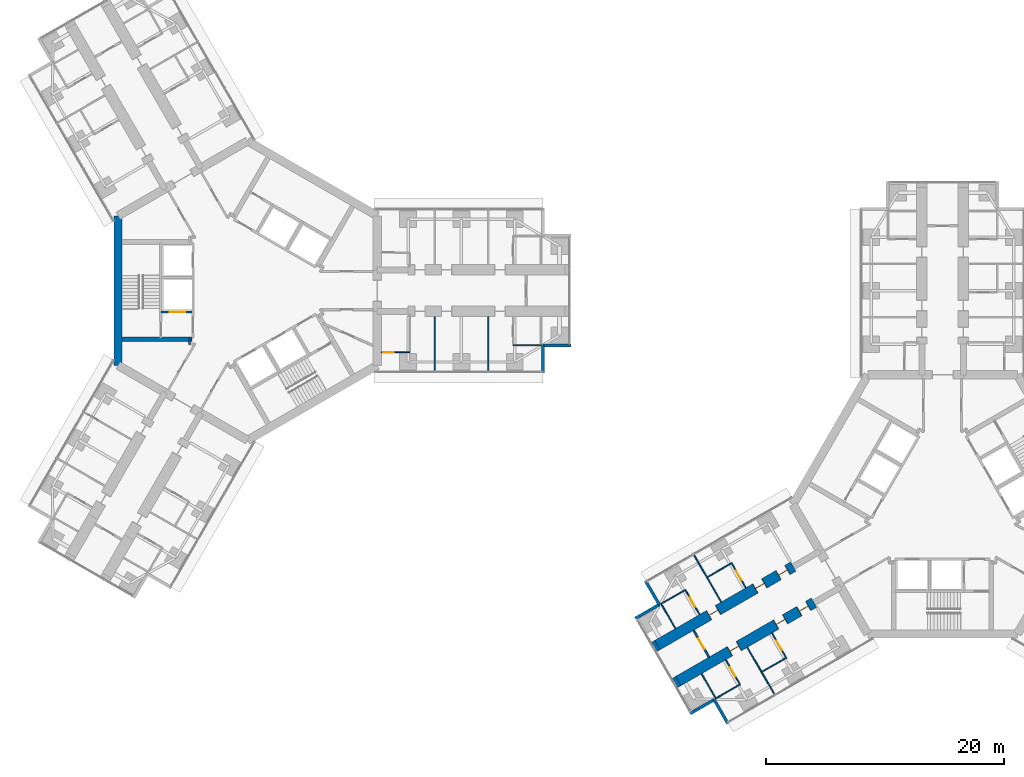
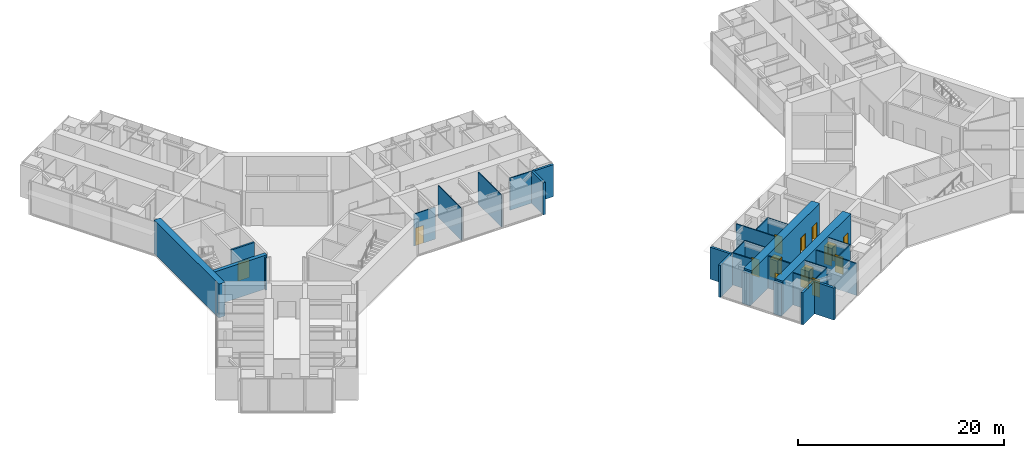
# One storey, part 17 of 25: 31 walls, 13 doors, 13 openings.
"""IFC4 building model written with IfcOpenShell, lengths in metres."""

from ifc_helpers import new_model, si_unit, direction, frame, frame_2d, origin, place, context, subcontext, project, spatial, rectangle, extrude, material, layer, layer_set, type_object, element, fill, save


model = new_model("IFC4")

# Units and contexts
model_context = context("Model", 3, precision=1e-05, world=origin(), true_north=direction((0.0, 1.0)))
body_context = subcontext(model_context, "Body", "Model", "MODEL_VIEW")
ifc_project = project(units=[si_unit("LENGTHUNIT", "METRE"), si_unit("AREAUNIT", "SQUARE_METRE"), si_unit("VOLUMEUNIT", "CUBIC_METRE"), si_unit("PLANEANGLEUNIT", "RADIAN"), si_unit("MASSUNIT", "GRAM", prefix="KILO")], contexts=[model_context])

# Site, building, storey
site_placement = place(None, origin())
site = spatial("IfcSite", under=ifc_project, at=site_placement, CompositionType="ELEMENT")
building_placement = place(site_placement, origin())
building = spatial("IfcBuilding", under=site, at=building_placement, Name="Upepo Twin Towers", CompositionType="ELEMENT")
storey_placement = place(building_placement, frame((0.0, 0.0, 76.5)))
storey = spatial("IfcBuildingStorey", under=building, at=storey_placement, Name="L18", CompositionType="ELEMENT", Elevation=76.5)

# Walls
ifc_material_1 = material(Name="Dense concrete blockwork", Category="masonry")
ifc_layer_1 = layer(ifc_material_1, 0.89990234375)
ifc_layer_set_1 = layer_set([ifc_layer_1], Name="Buttress closer 900, blockwork with fire-stopping to the curtain wall")
wall_type_1 = type_object("IfcWallType", Name="Buttress closer 900, blockwork with fire-stopping to the curtain wall", PredefinedType="PARTITIONING", material=ifc_layer_set_1)
for number, where, z_axis, x_axis, name in (
    (1, (36.252197265625, -32.865478515625, 0.0), (0.0, 0.0, 1.0), (-0.866054481515, -0.499949632511, 0.0), "T2 L18 wing B buttress closer L"),
    (2, (34.502197265625, -29.83447265625, 0.0), (0.0, 0.0, 1.0), (-0.866054481515, -0.499949632511, 0.0), "T2 L18 wing B buttress closer R"),
):
    element("IfcWall", number, at=place(storey_placement, frame(where, z_axis=z_axis, x_axis=x_axis)), inside=storey, type_object=wall_type_1, Name=name, PredefinedType="PARTITIONING", context=body_context, shape_type="SweptSolid", body=[
        extrude(rectangle(XDim=0.31005859375, YDim=0.89990234375, at=frame_2d((0.155029296875, 0.0))), origin(), (0.0, 0.0, 1.0), 3.800048828125),
    ])

# Wall, openings, doors
ifc_material_2 = material(Name="Concrete C60/75", Category="concrete")
ifc_layer_2 = layer(ifc_material_2, 0.89990234375)
ifc_layer_set_2 = layer_set([ifc_layer_2], Name="Concrete C60/75")
wall_type_2 = type_object("IfcWallType", Name="Buttress wall 900 RC", PredefinedType="SHEAR", material=ifc_layer_set_2)
wall_1_placement = place(storey_placement, frame((47.68359375, -26.265625, 0.0), z_axis=(0.0, 0.0, 1.0), x_axis=(-0.866027579429, -0.499996231654, 0.0)))
wall_1 = element("IfcWall", 3, at=wall_1_placement, inside=storey, type_object=wall_type_2, Name="T2 wing B buttress wall L part 2", PredefinedType="SHEAR", context=body_context, shape_type="SweptSolid", body=[
    extrude(rectangle(XDim=13.19970703125, YDim=0.89990234375, at=frame_2d((6.599853515625, 0.0))), origin(), (0.0, 0.0, 1.0), 4.0),
])
opening_1_placement = place(wall_1_placement, frame((0.550048828125, 0.0, 0.0)))
opening_1 = element("IfcOpeningElement", 4, at=opening_1_placement, cuts=wall_1, Name="Opening D14", PredefinedType="OPENING", context=body_context, shape_type="SweptSolid", body=[
    extrude(rectangle(XDim=0.89990234375, YDim=2.10009765625, at=frame_2d((0.449951171875, 1.050048828125))), frame((0.0, 0.4599609375, 0.0), z_axis=(0.0, -1.0, 0.0), x_axis=(1.0, 0.0, 0.0)), (0.0, 0.0, 1.0), 0.919921875),
])
opening_2_placement = place(wall_1_placement, frame((2.800048828125, 0.0, 0.0)))
opening_2 = element("IfcOpeningElement", 5, at=opening_2_placement, cuts=wall_1, Name="Opening D14", PredefinedType="OPENING", context=body_context, shape_type="SweptSolid", body=[
    extrude(rectangle(XDim=0.89990234375, YDim=2.10009765625, at=frame_2d((0.449951171875, 1.050048828125))), frame((0.0, 0.4599609375, 0.0), z_axis=(0.0, -1.0, 0.0), x_axis=(1.0, 0.0, 0.0)), (0.0, 0.0, 1.0), 0.919921875),
])
opening_3_placement = place(wall_1_placement, frame((7.300048828125, 0.0, 0.0)))
opening_3 = element("IfcOpeningElement", 6, at=opening_3_placement, cuts=wall_1, Name="Opening D14", PredefinedType="OPENING", context=body_context, shape_type="SweptSolid", body=[
    extrude(rectangle(XDim=0.89990234375, YDim=2.10009765625, at=frame_2d((0.449951171875, 1.050048828125))), frame((0.0, 0.4599609375, 0.0), z_axis=(0.0, -1.0, 0.0), x_axis=(1.0, 0.0, 0.0)), (0.0, 0.0, 1.0), 0.919921875),
])
ifc_material_3 = material(Name="Timber doorset", Category="wood")
door_type_1 = type_object("IfcDoorType", Name="Office door 900 FD30", OperationType="SINGLE_SWING_LEFT", PredefinedType="DOOR", material=ifc_material_3)
door_1_placement = place(opening_1_placement, origin())
door_1 = element("IfcDoor", 7, at=door_1_placement, inside=storey, type_object=door_type_1, Name="T2 L18 open-plan staff office door", OperationType="SINGLE_SWING_LEFT", OverallHeight=2.10009765625, OverallWidth=0.89990234375, PredefinedType="DOOR", context=body_context, shape_type="SweptSolid", body=[
    extrude(rectangle(XDim=0.81990234375, YDim=2.06009765625, at=frame_2d((0.449951171875, 1.030029296875))), frame((0.0, 0.02490234375, 0.0), z_axis=(0.0, -1.0, 0.0), x_axis=(1.0, 0.0, 0.0)), (0.0, 0.0, 1.0), 0.050048828125),
    extrude(rectangle(XDim=0.04, YDim=2.10009765625, at=frame_2d((0.02001953125, 1.050048828125))), frame((0.0, 0.44970703125, 0.0), z_axis=(0.0, -1.0, 0.0), x_axis=(1.0, 0.0, 0.0)), (0.0, 0.0, 1.0), 0.8994140625),
    extrude(rectangle(XDim=0.04, YDim=2.10009765625, at=frame_2d((0.8798828125, 1.050048828125))), frame((0.0, 0.44970703125, 0.0), z_axis=(0.0, -1.0, 0.0), x_axis=(1.0, 0.0, 0.0)), (0.0, 0.0, 1.0), 0.8994140625),
    extrude(rectangle(XDim=0.81990234375, YDim=0.04, at=frame_2d((0.449951171875, 2.080078125))), frame((0.0, 0.44970703125, 0.0), z_axis=(0.0, -1.0, 0.0), x_axis=(1.0, 0.0, 0.0)), (0.0, 0.0, 1.0), 0.8994140625),
])
fill(opening_1, door_1)
door_2_placement = place(opening_2_placement, origin())
door_2 = element("IfcDoor", 8, at=door_2_placement, inside=storey, type_object=door_type_1, Name="T2 L18 open-plan staff office door", OperationType="SINGLE_SWING_LEFT", OverallHeight=2.10009765625, OverallWidth=0.89990234375, PredefinedType="DOOR", context=body_context, shape_type="SweptSolid", body=[
    extrude(rectangle(XDim=0.81990234375, YDim=2.06009765625, at=frame_2d((0.449951171875, 1.030029296875))), frame((0.0, 0.02490234375, 0.0), z_axis=(0.0, -1.0, 0.0), x_axis=(1.0, 0.0, 0.0)), (0.0, 0.0, 1.0), 0.050048828125),
    extrude(rectangle(XDim=0.04, YDim=2.10009765625, at=frame_2d((0.02001953125, 1.050048828125))), frame((0.0, 0.44970703125, 0.0), z_axis=(0.0, -1.0, 0.0), x_axis=(1.0, 0.0, 0.0)), (0.0, 0.0, 1.0), 0.8994140625),
    extrude(rectangle(XDim=0.04, YDim=2.10009765625, at=frame_2d((0.8798828125, 1.050048828125))), frame((0.0, 0.44970703125, 0.0), z_axis=(0.0, -1.0, 0.0), x_axis=(1.0, 0.0, 0.0)), (0.0, 0.0, 1.0), 0.8994140625),
    extrude(rectangle(XDim=0.81990234375, YDim=0.04, at=frame_2d((0.449951171875, 2.080078125))), frame((0.0, 0.44970703125, 0.0), z_axis=(0.0, -1.0, 0.0), x_axis=(1.0, 0.0, 0.0)), (0.0, 0.0, 1.0), 0.8994140625),
])
fill(opening_2, door_2)
door_3_placement = place(opening_3_placement, origin())
door_3 = element("IfcDoor", 9, at=door_3_placement, inside=storey, type_object=door_type_1, Name="T2 L18 staff office door", OperationType="SINGLE_SWING_RIGHT", OverallHeight=2.10009765625, OverallWidth=0.89990234375, PredefinedType="DOOR", context=body_context, shape_type="SweptSolid", body=[
    extrude(rectangle(XDim=0.81990234375, YDim=2.06009765625, at=frame_2d((0.449951171875, 1.030029296875))), frame((0.0, 0.02490234375, 0.0), z_axis=(0.0, -1.0, 0.0), x_axis=(1.0, 0.0, 0.0)), (0.0, 0.0, 1.0), 0.050048828125),
    extrude(rectangle(XDim=0.04, YDim=2.10009765625, at=frame_2d((0.02001953125, 1.050048828125))), frame((0.0, 0.44970703125, 0.0), z_axis=(0.0, -1.0, 0.0), x_axis=(1.0, 0.0, 0.0)), (0.0, 0.0, 1.0), 0.8994140625),
    extrude(rectangle(XDim=0.04, YDim=2.10009765625, at=frame_2d((0.8798828125, 1.050048828125))), frame((0.0, 0.44970703125, 0.0), z_axis=(0.0, -1.0, 0.0), x_axis=(1.0, 0.0, 0.0)), (0.0, 0.0, 1.0), 0.8994140625),
    extrude(rectangle(XDim=0.81990234375, YDim=0.04, at=frame_2d((0.449951171875, 2.080078125))), frame((0.0, 0.44970703125, 0.0), z_axis=(0.0, -1.0, 0.0), x_axis=(1.0, 0.0, 0.0)), (0.0, 0.0, 1.0), 0.8994140625),
])
fill(opening_3, door_3)

wall_2_placement = place(storey_placement, frame((45.93359375, -23.234375, 0.0), z_axis=(0.0, 0.0, 1.0), x_axis=(-0.866019570528, -0.500010103361, 0.0)))
wall_2 = element("IfcWall", 10, at=wall_2_placement, inside=storey, type_object=wall_type_2, Name="T2 wing B buttress wall R part 2", PredefinedType="SHEAR", context=body_context, shape_type="SweptSolid", body=[
    extrude(rectangle(XDim=13.199951171875, YDim=0.89990234375, at=frame_2d((6.60009765625, 0.0))), origin(), (0.0, 0.0, 1.0), 4.0),
])
opening_4_placement = place(wall_2_placement, frame((0.550048828125, 0.0, 0.0)))
opening_4 = element("IfcOpeningElement", 11, at=opening_4_placement, cuts=wall_2, Name="Opening D14", PredefinedType="OPENING", context=body_context, shape_type="SweptSolid", body=[
    extrude(rectangle(XDim=0.89990234375, YDim=2.10009765625, at=frame_2d((0.449951171875, 1.050048828125))), frame((0.0, 0.4599609375, 0.0), z_axis=(0.0, -1.0, 0.0), x_axis=(1.0, 0.0, 0.0)), (0.0, 0.0, 1.0), 0.919921875),
])
opening_5_placement = place(wall_2_placement, frame((2.800048828125, 0.0, 0.0)))
opening_5 = element("IfcOpeningElement", 12, at=opening_5_placement, cuts=wall_2, Name="Opening D14", PredefinedType="OPENING", context=body_context, shape_type="SweptSolid", body=[
    extrude(rectangle(XDim=0.89990234375, YDim=2.10009765625, at=frame_2d((0.449951171875, 1.050048828125))), frame((0.0, 0.4599609375, 0.0), z_axis=(0.0, -1.0, 0.0), x_axis=(1.0, 0.0, 0.0)), (0.0, 0.0, 1.0), 0.919921875),
])
opening_6_placement = place(wall_2_placement, frame((7.300048828125, 0.0, 0.0)))
opening_6 = element("IfcOpeningElement", 13, at=opening_6_placement, cuts=wall_2, Name="Opening D14", PredefinedType="OPENING", context=body_context, shape_type="SweptSolid", body=[
    extrude(rectangle(XDim=0.89990234375, YDim=2.10009765625, at=frame_2d((0.449951171875, 1.050048828125))), frame((0.0, 0.4599609375, 0.0), z_axis=(0.0, -1.0, 0.0), x_axis=(1.0, 0.0, 0.0)), (0.0, 0.0, 1.0), 0.919921875),
])
door_4_placement = place(opening_4_placement, origin())
door_4 = element("IfcDoor", 14, at=door_4_placement, inside=storey, type_object=door_type_1, Name="T2 L18 open-plan staff office door", OperationType="SINGLE_SWING_LEFT", OverallHeight=2.10009765625, OverallWidth=0.89990234375, PredefinedType="DOOR", context=body_context, shape_type="SweptSolid", body=[
    extrude(rectangle(XDim=0.81990234375, YDim=2.06009765625, at=frame_2d((0.449951171875, 1.030029296875))), frame((0.0, 0.02490234375, 0.0), z_axis=(0.0, -1.0, 0.0), x_axis=(1.0, 0.0, 0.0)), (0.0, 0.0, 1.0), 0.050048828125),
    extrude(rectangle(XDim=0.04, YDim=2.10009765625, at=frame_2d((0.02001953125, 1.050048828125))), frame((0.0, 0.44970703125, 0.0), z_axis=(0.0, -1.0, 0.0), x_axis=(1.0, 0.0, 0.0)), (0.0, 0.0, 1.0), 0.8994140625),
    extrude(rectangle(XDim=0.04, YDim=2.10009765625, at=frame_2d((0.8798828125, 1.050048828125))), frame((0.0, 0.44970703125, 0.0), z_axis=(0.0, -1.0, 0.0), x_axis=(1.0, 0.0, 0.0)), (0.0, 0.0, 1.0), 0.8994140625),
    extrude(rectangle(XDim=0.81990234375, YDim=0.04, at=frame_2d((0.449951171875, 2.080078125))), frame((0.0, 0.44970703125, 0.0), z_axis=(0.0, -1.0, 0.0), x_axis=(1.0, 0.0, 0.0)), (0.0, 0.0, 1.0), 0.8994140625),
])
fill(opening_4, door_4)
door_5_placement = place(opening_5_placement, origin())
door_5 = element("IfcDoor", 15, at=door_5_placement, inside=storey, type_object=door_type_1, Name="T2 L18 open-plan staff office door", OperationType="SINGLE_SWING_LEFT", OverallHeight=2.10009765625, OverallWidth=0.89990234375, PredefinedType="DOOR", context=body_context, shape_type="SweptSolid", body=[
    extrude(rectangle(XDim=0.81990234375, YDim=2.06009765625, at=frame_2d((0.449951171875, 1.030029296875))), frame((0.0, 0.02490234375, 0.0), z_axis=(0.0, -1.0, 0.0), x_axis=(1.0, 0.0, 0.0)), (0.0, 0.0, 1.0), 0.050048828125),
    extrude(rectangle(XDim=0.04, YDim=2.10009765625, at=frame_2d((0.02001953125, 1.050048828125))), frame((0.0, 0.44970703125, 0.0), z_axis=(0.0, -1.0, 0.0), x_axis=(1.0, 0.0, 0.0)), (0.0, 0.0, 1.0), 0.8994140625),
    extrude(rectangle(XDim=0.04, YDim=2.10009765625, at=frame_2d((0.8798828125, 1.050048828125))), frame((0.0, 0.44970703125, 0.0), z_axis=(0.0, -1.0, 0.0), x_axis=(1.0, 0.0, 0.0)), (0.0, 0.0, 1.0), 0.8994140625),
    extrude(rectangle(XDim=0.81990234375, YDim=0.04, at=frame_2d((0.449951171875, 2.080078125))), frame((0.0, 0.44970703125, 0.0), z_axis=(0.0, -1.0, 0.0), x_axis=(1.0, 0.0, 0.0)), (0.0, 0.0, 1.0), 0.8994140625),
])
fill(opening_5, door_5)
door_6_placement = place(opening_6_placement, origin())
door_6 = element("IfcDoor", 16, at=door_6_placement, inside=storey, type_object=door_type_1, Name="T2 L18 meeting room door", OperationType="SINGLE_SWING_RIGHT", OverallHeight=2.10009765625, OverallWidth=0.89990234375, PredefinedType="DOOR", context=body_context, shape_type="SweptSolid", body=[
    extrude(rectangle(XDim=0.81990234375, YDim=2.06009765625, at=frame_2d((0.449951171875, 1.030029296875))), frame((0.0, 0.02490234375, 0.0), z_axis=(0.0, -1.0, 0.0), x_axis=(1.0, 0.0, 0.0)), (0.0, 0.0, 1.0), 0.050048828125),
    extrude(rectangle(XDim=0.04, YDim=2.10009765625, at=frame_2d((0.02001953125, 1.050048828125))), frame((0.0, 0.44970703125, 0.0), z_axis=(0.0, -1.0, 0.0), x_axis=(1.0, 0.0, 0.0)), (0.0, 0.0, 1.0), 0.8994140625),
    extrude(rectangle(XDim=0.04, YDim=2.10009765625, at=frame_2d((0.8798828125, 1.050048828125))), frame((0.0, 0.44970703125, 0.0), z_axis=(0.0, -1.0, 0.0), x_axis=(1.0, 0.0, 0.0)), (0.0, 0.0, 1.0), 0.8994140625),
    extrude(rectangle(XDim=0.81990234375, YDim=0.04, at=frame_2d((0.449951171875, 2.080078125))), frame((0.0, 0.44970703125, 0.0), z_axis=(0.0, -1.0, 0.0), x_axis=(1.0, 0.0, 0.0)), (0.0, 0.0, 1.0), 0.8994140625),
])
fill(opening_6, door_6)

# Walls
ifc_material_4 = material(Name="Concrete C60/75", Category="concrete")
ifc_layer_3 = layer(ifc_material_4, 0.699951171875)
ifc_layer_set_3 = layer_set([ifc_layer_3], Name="Concrete C60/75")
wall_type_3 = type_object("IfcWallType", Name="Core wall 700 RC", PredefinedType="SHEAR", material=ifc_layer_set_3)
wall_3_placement = place(storey_placement, frame((-10.908447265625, 6.2978515625, 0.0), z_axis=(0.0, 0.0, 1.0), x_axis=(0.0, -1.0, 0.0)))
element("IfcWall", 17, at=wall_3_placement, inside=storey, type_object=wall_type_3, Name="T1 core wall 180", PredefinedType="SHEAR", context=body_context, shape_type="SweptSolid", body=[
    extrude(rectangle(XDim=12.595703125, YDim=0.699951171875, at=frame_2d((6.2978515625, 0.0))), origin(), (0.0, 0.0, 1.0), 4.0),
])
ifc_material_5 = material(Name="Blockwork with anodised aluminium cladding", Category="masonry")
ifc_layer_4 = layer(ifc_material_5, 0.25)
ifc_layer_set_4 = layer_set([ifc_layer_4], Name="Notch cladding wall 250, pale metal")
wall_type_4 = type_object("IfcWallType", Name="Notch cladding wall 250, pale metal", PredefinedType="STANDARD", material=ifc_layer_set_4)
for number, where, z_axis, x_axis, name in (
    (18, (24.875, -6.949951171875, 0.0), (0.0, 0.0, 1.0), (0.0, 1.0, 0.0), "T1 L18 wing A notch wall R1"),
    (19, (24.875, -4.625, 0.0), (0.0, 0.0, 1.0), (1.0, 0.0, 0.0), "T1 L18 wing A notch wall R2"),
    (20, (40.4326171875, -36.456298828125, 0.0), (0.0, 0.0, 1.0), (-0.500046648681, 0.865998469481, 0.0), "T2 L18 wing B notch wall L1"),
    (21, (39.27001953125, -34.44287109375, 0.0), (0.0, 0.0, 1.0), (-0.865998469481, -0.500046648681, 0.0), "T2 L18 wing B notch wall L2"),
    (22, (33.482666015625, -24.418701171875, 0.0), (0.0, 0.0, 1.0), (0.499967891604, -0.866043940782, 0.0), "T2 L18 wing B notch wall R1"),
    (23, (34.64501953125, -26.43212890625, 0.0), (0.0, 0.0, 1.0), (-0.865998469481, -0.500046648681, 0.0), "T2 L18 wing B notch wall R2"),
):
    element("IfcWall", number, at=place(storey_placement, frame(where, z_axis=z_axis, x_axis=x_axis)), inside=storey, type_object=wall_type_4, Name=name, PredefinedType="STANDARD", context=body_context, shape_type="SweptSolid", body=[
        extrude(rectangle(XDim=2.324951171875, YDim=0.25, at=frame_2d((1.16259765625, 0.0))), origin(), (0.0, 0.0, 1.0), 3.800048828125),
    ])
ifc_material_6 = material(Name="Gypsum board on steel studs", Category="steel")
ifc_layer_5 = layer(ifc_material_6, 0.10009765625)
ifc_layer_set_5 = layer_set([ifc_layer_5], Name="Office partition 100 stud")
wall_type_5 = type_object("IfcWallType", Name="Office partition 100 stud", PredefinedType="PARTITIONING", material=ifc_layer_set_5)
for number, where, z_axis, x_axis, name in (
    (24, (15.75, -2.199951171875, 0.0), (0.0, 0.0, 1.0), (0.0, -1.0, 0.0), "T1 partition AR at 15.75"),
    (25, (20.25, -2.199951171875, 0.0), (0.0, 0.0, 1.0), (0.0, -1.0, 0.0), "T1 partition AR at 20.25"),
):
    element("IfcWall", number, at=place(storey_placement, frame(where, z_axis=z_axis, x_axis=x_axis)), inside=storey, type_object=wall_type_5, Name=name, PredefinedType="PARTITIONING", context=body_context, shape_type="SweptSolid", body=[
        extrude(rectangle(XDim=4.550048828125, YDim=0.10009765625, at=frame_2d((2.27490234375, 0.0))), origin(), (0.0, 0.0, 1.0), 3.800048828125),
    ])
wall_4_placement = place(storey_placement, frame((22.35009765625, -4.60009765625, 0.0), z_axis=(0.0, 0.0, 1.0), x_axis=(1.0, 0.0, 0.0)))
element("IfcWall", 26, at=wall_4_placement, inside=storey, type_object=wall_type_5, Name="T1 inner room partition AR at 22.35", PredefinedType="PARTITIONING", context=body_context, shape_type="SweptSolid", body=[
    extrude(rectangle(XDim=2.39990234375, YDim=0.10009765625, at=frame_2d((1.199951171875, 0.0))), origin(), (0.0, 0.0, 1.0), 3.800048828125),
])

# Wall, opening, door
wall_5_placement = place(storey_placement, frame((11.258056640625, -5.199951171875, 0.0), z_axis=(0.0, 0.0, 1.0), x_axis=(1.0, 0.0, 0.0)))
wall_5 = element("IfcWall", 27, at=wall_5_placement, inside=storey, type_object=wall_type_5, Name="T1 WC bay partition AR at 11.26", PredefinedType="PARTITIONING", context=body_context, shape_type="SweptSolid", body=[
    extrude(rectangle(XDim=2.39990234375, YDim=0.10009765625, at=frame_2d((1.199951171875, 0.0))), origin(), (0.0, 0.0, 1.0), 3.800048828125),
])
opening_7_placement = place(wall_5_placement, frame((0.14990234375, 0.0, 0.0)))
opening_7 = element("IfcOpeningElement", 28, at=opening_7_placement, cuts=wall_5, Name="Opening D14", PredefinedType="OPENING", context=body_context, shape_type="SweptSolid", body=[
    extrude(rectangle(XDim=0.89990234375, YDim=2.10009765625, at=frame_2d((0.449951171875, 1.050048828125))), frame((0.0, 0.06005859375, 0.0), z_axis=(0.0, -1.0, 0.0), x_axis=(1.0, 0.0, 0.0)), (0.0, 0.0, 1.0), 0.1201171875),
])
door_7_placement = place(opening_7_placement, origin())
door_7 = element("IfcDoor", 29, at=door_7_placement, inside=storey, type_object=door_type_1, Name="T1 L18 WC bay inner room door", OperationType="SINGLE_SWING_LEFT", OverallHeight=2.10009765625, OverallWidth=0.89990234375, PredefinedType="DOOR", context=body_context, shape_type="SweptSolid", body=[
    extrude(rectangle(XDim=0.89990234375, YDim=2.10009765625, at=frame_2d((0.449951171875, 1.050048828125))), frame((0.0, 0.02490234375, 0.0), z_axis=(0.0, -1.0, 0.0), x_axis=(1.0, 0.0, 0.0)), (0.0, 0.0, 1.0), 0.050048828125),
])
fill(opening_7, door_7)

# Walls
wall_6_placement = place(storey_placement, frame((42.06298828125, -30.0302734375, 0.0), z_axis=(0.0, 0.0, 1.0), x_axis=(0.499982560684, -0.866035472144, 0.0)))
element("IfcWall", 30, at=wall_6_placement, inside=storey, type_object=wall_type_5, Name="T2 partition BL at 20.25", PredefinedType="PARTITIONING", context=body_context, shape_type="SweptSolid", body=[
    extrude(rectangle(XDim=4.550048828125, YDim=0.10009765625, at=frame_2d((2.27490234375, 0.0))), origin(), (0.0, 0.0, 1.0), 3.800048828125),
])
wall_7_placement = place(storey_placement, frame((45.341552734375, -30.90869140625, 0.0), z_axis=(0.0, 0.0, 1.0), x_axis=(-0.866050077142, -0.499957262057, 0.0)))
element("IfcWall", 31, at=wall_7_placement, inside=storey, type_object=wall_type_5, Name="T2 inner room partition BL at 17.85", PredefinedType="PARTITIONING", context=body_context, shape_type="SweptSolid", body=[
    extrude(rectangle(XDim=2.400146484375, YDim=0.10009765625, at=frame_2d((1.2001953125, 0.0))), origin(), (0.0, 0.0, 1.0), 3.800048828125),
])

# Wall, opening, door
wall_8_placement = place(storey_placement, frame((44.141357421875, -28.830322265625, 0.0), z_axis=(0.0, 0.0, 1.0), x_axis=(0.500077600433, -0.865980596518, 0.0)))
wall_8 = element("IfcWall", 32, at=wall_8_placement, inside=storey, type_object=wall_type_5, Name="T2 inner room partition BL end at 17.85", PredefinedType="PARTITIONING", context=body_context, shape_type="SweptSolid", body=[
    extrude(rectangle(XDim=2.39990234375, YDim=0.10009765625, at=frame_2d((1.199951171875, 0.0))), origin(), (0.0, 0.0, 1.0), 3.800048828125),
])
opening_8_placement = place(wall_8_placement, frame((0.75, 0.0, 0.0)))
opening_8 = element("IfcOpeningElement", 33, at=opening_8_placement, cuts=wall_8, Name="Opening D14", PredefinedType="OPENING", context=body_context, shape_type="SweptSolid", body=[
    extrude(rectangle(XDim=0.89990234375, YDim=2.10009765625, at=frame_2d((0.449951171875, 1.050048828125))), frame((0.0, 0.06005859375, 0.0), z_axis=(0.0, -1.0, 0.0), x_axis=(1.0, 0.0, 0.0)), (0.0, 0.0, 1.0), 0.1201171875),
])
door_8_placement = place(opening_8_placement, origin())
door_8 = element("IfcDoor", 34, at=door_8_placement, inside=storey, type_object=door_type_1, Name="T2 L18 inner room door", OperationType="SINGLE_SWING_LEFT", OverallHeight=2.10009765625, OverallWidth=0.89990234375, PredefinedType="DOOR", context=body_context, shape_type="SweptSolid", body=[
    extrude(rectangle(XDim=0.89990234375, YDim=2.10009765625, at=frame_2d((0.449951171875, 1.050048828125))), frame((0.0, 0.02490234375, 0.0), z_axis=(0.0, -1.0, 0.0), x_axis=(1.0, 0.0, 0.0)), (0.0, 0.0, 1.0), 0.050048828125),
])
fill(opening_8, door_8)

# Wall
wall_9_placement = place(storey_placement, frame((41.4443359375, -33.15869140625, 0.0), z_axis=(0.0, 0.0, 1.0), x_axis=(-0.866024647952, -0.500001309137, 0.0)))
element("IfcWall", 35, at=wall_9_placement, inside=storey, type_object=wall_type_5, Name="T2 inner room partition BL at 22.35", PredefinedType="PARTITIONING", context=body_context, shape_type="SweptSolid", body=[
    extrude(rectangle(XDim=2.39990234375, YDim=0.10009765625, at=frame_2d((1.199951171875, 0.0))), origin(), (0.0, 0.0, 1.0), 3.800048828125),
])

# Wall, opening, door
wall_10_placement = place(storey_placement, frame((40.244384765625, -31.080322265625, 0.0), z_axis=(0.0, 0.0, 1.0), x_axis=(0.500001309137, -0.866024647952, 0.0)))
wall_10 = element("IfcWall", 36, at=wall_10_placement, inside=storey, type_object=wall_type_5, Name="T2 inner room partition BL end at 22.35", PredefinedType="PARTITIONING", context=body_context, shape_type="SweptSolid", body=[
    extrude(rectangle(XDim=2.39990234375, YDim=0.10009765625, at=frame_2d((1.199951171875, 0.0))), origin(), (0.0, 0.0, 1.0), 3.800048828125),
])
opening_9_placement = place(wall_10_placement, frame((0.75, 0.0, 0.0)))
opening_9 = element("IfcOpeningElement", 37, at=opening_9_placement, cuts=wall_10, Name="Opening D14", PredefinedType="OPENING", context=body_context, shape_type="SweptSolid", body=[
    extrude(rectangle(XDim=0.89990234375, YDim=2.10009765625, at=frame_2d((0.449951171875, 1.050048828125))), frame((0.0, 0.06005859375, 0.0), z_axis=(0.0, -1.0, 0.0), x_axis=(1.0, 0.0, 0.0)), (0.0, 0.0, 1.0), 0.1201171875),
])
door_9_placement = place(opening_9_placement, origin())
door_9 = element("IfcDoor", 38, at=door_9_placement, inside=storey, type_object=door_type_1, Name="T2 L18 inner room door", OperationType="SINGLE_SWING_LEFT", OverallHeight=2.10009765625, OverallWidth=0.89990234375, PredefinedType="DOOR", context=body_context, shape_type="SweptSolid", body=[
    extrude(rectangle(XDim=0.89990234375, YDim=2.10009765625, at=frame_2d((0.449951171875, 1.050048828125))), frame((0.0, 0.02490234375, 0.0), z_axis=(0.0, -1.0, 0.0), x_axis=(1.0, 0.0, 0.0)), (0.0, 0.0, 1.0), 0.050048828125),
])
fill(opening_9, door_9)

# Walls
wall_11_placement = place(storey_placement, frame((38.209228515625, -32.25537109375, 0.0), z_axis=(0.0, 0.0, 1.0), x_axis=(0.500001309137, -0.866024647952, 0.0)))
element("IfcWall", 39, at=wall_11_placement, inside=storey, type_object=wall_type_5, Name="T2 inner room partition BL end at 24.75", PredefinedType="PARTITIONING", context=body_context, shape_type="SweptSolid", body=[
    extrude(rectangle(XDim=2.39990234375, YDim=0.10009765625, at=frame_2d((1.199951171875, 0.0))), origin(), (0.0, 0.0, 1.0), 3.800048828125),
])
wall_12_placement = place(storey_placement, frame((39.863037109375, -26.2197265625, 0.0), z_axis=(0.0, 0.0, 1.0), x_axis=(-0.500022803284, 0.866012237902, 0.0)))
element("IfcWall", 40, at=wall_12_placement, inside=storey, type_object=wall_type_5, Name="T2 partition BR at 20.25", PredefinedType="PARTITIONING", context=body_context, shape_type="SweptSolid", body=[
    extrude(rectangle(XDim=4.550048828125, YDim=0.10009765625, at=frame_2d((2.27490234375, 0.0))), origin(), (0.0, 0.0, 1.0), 3.800048828125),
])
wall_13_placement = place(storey_placement, frame((40.741455078125, -22.941162109375, 0.0), z_axis=(0.0, 0.0, 1.0), x_axis=(-0.865980596518, -0.500077600433, 0.0)))
element("IfcWall", 41, at=wall_13_placement, inside=storey, type_object=wall_type_5, Name="T2 inner room partition BR at 17.85", PredefinedType="PARTITIONING", context=body_context, shape_type="SweptSolid", body=[
    extrude(rectangle(XDim=2.39990234375, YDim=0.10009765625, at=frame_2d((1.199951171875, 0.0))), origin(), (0.0, 0.0, 1.0), 3.800048828125),
])

# Wall, opening, door
wall_14_placement = place(storey_placement, frame((41.94140625, -25.019775390625, 0.0), z_axis=(0.0, 0.0, 1.0), x_axis=(-0.499957262057, 0.866050077142, 0.0)))
wall_14 = element("IfcWall", 42, at=wall_14_placement, inside=storey, type_object=wall_type_5, Name="T2 inner room partition BR end at 17.85", PredefinedType="PARTITIONING", context=body_context, shape_type="SweptSolid", body=[
    extrude(rectangle(XDim=2.400146484375, YDim=0.10009765625, at=frame_2d((1.2001953125, 0.0))), origin(), (0.0, 0.0, 1.0), 3.800048828125),
])
opening_10_placement = place(wall_14_placement, frame((0.75, 0.0, 0.0)))
opening_10 = element("IfcOpeningElement", 43, at=opening_10_placement, cuts=wall_14, Name="Opening D14", PredefinedType="OPENING", context=body_context, shape_type="SweptSolid", body=[
    extrude(rectangle(XDim=0.89990234375, YDim=2.10009765625, at=frame_2d((0.449951171875, 1.050048828125))), frame((0.0, 0.06005859375, 0.0), z_axis=(0.0, -1.0, 0.0), x_axis=(1.0, 0.0, 0.0)), (0.0, 0.0, 1.0), 0.1201171875),
])
door_10_placement = place(opening_10_placement, origin())
door_10 = element("IfcDoor", 44, at=door_10_placement, inside=storey, type_object=door_type_1, Name="T2 L18 inner room door", OperationType="SINGLE_SWING_LEFT", OverallHeight=2.10009765625, OverallWidth=0.89990234375, PredefinedType="DOOR", context=body_context, shape_type="SweptSolid", body=[
    extrude(rectangle(XDim=0.89990234375, YDim=2.10009765625, at=frame_2d((0.449951171875, 1.050048828125))), frame((0.0, 0.02490234375, 0.0), z_axis=(0.0, -1.0, 0.0), x_axis=(1.0, 0.0, 0.0)), (0.0, 0.0, 1.0), 0.050048828125),
])
fill(opening_10, door_10)

# Wall
wall_15_placement = place(storey_placement, frame((36.84423828125, -25.191162109375, 0.0), z_axis=(0.0, 0.0, 1.0), x_axis=(-0.865980596518, -0.500077600433, 0.0)))
element("IfcWall", 45, at=wall_15_placement, inside=storey, type_object=wall_type_5, Name="T2 inner room partition BR at 22.35", PredefinedType="PARTITIONING", context=body_context, shape_type="SweptSolid", body=[
    extrude(rectangle(XDim=2.39990234375, YDim=0.10009765625, at=frame_2d((1.199951171875, 0.0))), origin(), (0.0, 0.0, 1.0), 3.800048828125),
])

# Wall, opening, door
wall_16_placement = place(storey_placement, frame((38.04443359375, -27.269775390625, 0.0), z_axis=(0.0, 0.0, 1.0), x_axis=(-0.500033551112, 0.866006032174, 0.0)))
wall_16 = element("IfcWall", 46, at=wall_16_placement, inside=storey, type_object=wall_type_5, Name="T2 inner room partition BR end at 22.35", PredefinedType="PARTITIONING", context=body_context, shape_type="SweptSolid", body=[
    extrude(rectangle(XDim=2.400146484375, YDim=0.10009765625, at=frame_2d((1.2001953125, 0.0))), origin(), (0.0, 0.0, 1.0), 3.800048828125),
])
opening_11_placement = place(wall_16_placement, frame((0.75, 0.0, 0.0)))
opening_11 = element("IfcOpeningElement", 47, at=opening_11_placement, cuts=wall_16, Name="Opening D14", PredefinedType="OPENING", context=body_context, shape_type="SweptSolid", body=[
    extrude(rectangle(XDim=0.89990234375, YDim=2.10009765625, at=frame_2d((0.449951171875, 1.050048828125))), frame((0.0, 0.06005859375, 0.0), z_axis=(0.0, -1.0, 0.0), x_axis=(1.0, 0.0, 0.0)), (0.0, 0.0, 1.0), 0.1201171875),
])
door_11_placement = place(opening_11_placement, origin())
door_11 = element("IfcDoor", 48, at=door_11_placement, inside=storey, type_object=door_type_1, Name="T2 L18 inner room door", OperationType="SINGLE_SWING_LEFT", OverallHeight=2.10009765625, OverallWidth=0.89990234375, PredefinedType="DOOR", context=body_context, shape_type="SweptSolid", body=[
    extrude(rectangle(XDim=0.89990234375, YDim=2.10009765625, at=frame_2d((0.449951171875, 1.050048828125))), frame((0.0, 0.02490234375, 0.0), z_axis=(0.0, -1.0, 0.0), x_axis=(1.0, 0.0, 0.0)), (0.0, 0.0, 1.0), 0.050048828125),
])
fill(opening_11, door_11)

# Wall
wall_17_placement = place(storey_placement, frame((36.00927734375, -28.44482421875, 0.0), z_axis=(0.0, 0.0, 1.0), x_axis=(-0.500033551112, 0.866006032174, 0.0)))
element("IfcWall", 49, at=wall_17_placement, inside=storey, type_object=wall_type_5, Name="T2 inner room partition BR end at 24.75", PredefinedType="PARTITIONING", context=body_context, shape_type="SweptSolid", body=[
    extrude(rectangle(XDim=2.400146484375, YDim=0.10009765625, at=frame_2d((1.2001953125, 0.0))), origin(), (0.0, 0.0, 1.0), 3.800048828125),
])

# Wall, opening, door
ifc_material_7 = material(Name="Concrete C40/50", Category="concrete")
ifc_layer_6 = layer(ifc_material_7, 0.199951171875)
ifc_layer_set_6 = layer_set([ifc_layer_6], Name="Concrete C40/50")
wall_type_6 = type_object("IfcWallType", Name="Shaft wall 200 RC", PredefinedType="SHEAR", material=ifc_layer_set_6)
wall_18_placement = place(storey_placement, frame((-4.699951171875, -1.800048828125, 0.0), z_axis=(0.0, 0.0, 1.0), x_axis=(-1.0, 0.0, 0.0)))
wall_18 = element("IfcWall", 50, at=wall_18_placement, inside=storey, type_object=wall_type_6, Name="T1 core W180 lobby wall", PredefinedType="SHEAR", context=body_context, shape_type="SweptSolid", body=[
    extrude(rectangle(XDim=2.60009765625, YDim=0.199951171875, at=frame_2d((1.300048828125, 0.0))), origin(), (0.0, 0.0, 1.0), 4.0),
])
opening_12_placement = place(wall_18_placement, frame((0.550048828125, 0.0, 0.0)))
opening_12 = element("IfcOpeningElement", 51, at=opening_12_placement, cuts=wall_18, Name="Opening LD2", PredefinedType="OPENING", context=body_context, shape_type="SweptSolid", body=[
    extrude(rectangle(XDim=1.300048828125, YDim=2.199951171875, at=frame_2d((0.64990234375, 1.10009765625))), frame((0.0, 0.10986328125, 0.0), z_axis=(0.0, -1.0, 0.0), x_axis=(1.0, 0.0, 0.0)), (0.0, 0.0, 1.0), 0.219970703125),
])
ifc_material_8 = material(Name="Steel doorset", Category="steel")
door_type_2 = type_object("IfcDoorType", Name="Firefighting lift landing door 1300", OperationType="DOUBLE_DOOR_SLIDING", PredefinedType="DOOR", material=ifc_material_8)
door_12_placement = place(opening_12_placement, origin())
door_12 = element("IfcDoor", 52, at=door_12_placement, inside=storey, type_object=door_type_2, Name="T1 L18 firefighting lift landing door", OperationType="DOUBLE_DOOR_SLIDING", OverallHeight=2.199951171875, OverallWidth=1.300048828125, PredefinedType="DOOR", context=body_context, shape_type="SweptSolid", body=[
    extrude(rectangle(XDim=1.300048828125, YDim=2.199951171875, at=frame_2d((0.64990234375, 1.10009765625))), frame((0.0, 0.02490234375, 0.0), z_axis=(0.0, -1.0, 0.0), x_axis=(1.0, 0.0, 0.0)), (0.0, 0.0, 1.0), 0.050048828125),
])
fill(opening_12, door_12)

# Walls
ifc_material_9 = material(Name="Concrete C40/50", Category="concrete")
ifc_layer_7 = layer(ifc_material_9, 0.39990234375)
ifc_layer_set_7 = layer_set([ifc_layer_7], Name="Concrete C40/50")
wall_type_7 = type_object("IfcWallType", Name="Shaft wall 400 RC", PredefinedType="SHEAR", material=ifc_layer_set_7)
wall_19_placement = place(storey_placement, frame((-4.699951171875, -4.10009765625, 0.0), z_axis=(0.0, 0.0, 1.0), x_axis=(-1.0, 0.0, 0.0)))
element("IfcWall", 53, at=wall_19_placement, inside=storey, type_object=wall_type_7, Name="T1 core W180 side wall N", PredefinedType="SHEAR", context=body_context, shape_type="SweptSolid", body=[
    extrude(rectangle(XDim=5.8583984375, YDim=0.39990234375, at=frame_2d((2.92919921875, 0.0))), origin(), (0.0, 0.0, 1.0), 4.0),
])
ifc_material_10 = material(Name="Gypsum board on steel studs", Category="steel")
ifc_layer_8 = layer(ifc_material_10, 0.14990234375)
ifc_layer_set_8 = layer_set([ifc_layer_8], Name="Teaching partition 150 acoustic")
wall_type_8 = type_object("IfcWallType", Name="Teaching partition 150 acoustic", PredefinedType="PARTITIONING", material=ifc_layer_set_8)
wall_20_placement = place(storey_placement, frame((-4.89990234375, -4.52001953125, 0.0), z_axis=(0.0, 0.0, 1.0), x_axis=(0.0, 1.0, 0.0)))
element("IfcWall", 54, at=wall_20_placement, inside=storey, type_object=wall_type_8, Name="T1 core room partition 7", PredefinedType="PARTITIONING", context=body_context, shape_type="SweptSolid", body=[
    extrude(rectangle(XDim=0.429931640625, YDim=0.14990234375, at=frame_2d((0.21484375, 0.0))), origin(), (0.0, 0.0, 1.0), 3.800048828125),
])

# Wall, opening, door
wall_21_placement = place(storey_placement, frame((37.541748046875, -28.59912109375, 0.0), z_axis=(0.0, 0.0, 1.0), x_axis=(0.500006934395, -0.866021400173, 0.0)))
wall_21 = element("IfcWall", 55, at=wall_21_placement, inside=storey, type_object=wall_type_8, Name="T2 corridor end partition B at 23.45", PredefinedType="PARTITIONING", context=body_context, shape_type="SweptSolid", body=[
    extrude(rectangle(XDim=2.60009765625, YDim=0.14990234375, at=frame_2d((1.300048828125, 0.0))), origin(), (0.0, 0.0, 1.0), 3.800048828125),
])
opening_13_placement = place(wall_21_placement, frame((0.800048828125, 0.0, 0.0)))
opening_13 = element("IfcOpeningElement", 56, at=opening_13_placement, cuts=wall_21, Name="Opening D1", PredefinedType="OPENING", context=body_context, shape_type="SweptSolid", body=[
    extrude(rectangle(XDim=1.0, YDim=2.10009765625, at=frame_2d((0.5, 1.050048828125))), frame((0.0, 0.0849609375, 0.0), z_axis=(0.0, -1.0, 0.0), x_axis=(1.0, 0.0, 0.0)), (0.0, 0.0, 1.0), 0.169921875),
])
ifc_material_11 = material(Name="Timber doorset", Category="wood")
door_type_3 = type_object("IfcDoorType", Name="Room door 1000 FD30", OperationType="SINGLE_SWING_LEFT", PredefinedType="DOOR", material=ifc_material_11)
door_13_placement = place(opening_13_placement, origin())
door_13 = element("IfcDoor", 57, at=door_13_placement, inside=storey, type_object=door_type_3, Name="T2 L18 breakout study room door", OperationType="SINGLE_SWING_RIGHT", OverallHeight=2.10009765625, OverallWidth=1.0, PredefinedType="DOOR", context=body_context, shape_type="SweptSolid", body=[
    extrude(rectangle(XDim=1.0, YDim=2.10009765625, at=frame_2d((0.5, 1.050048828125))), frame((0.0, 0.02490234375, 0.0), z_axis=(0.0, -1.0, 0.0), x_axis=(1.0, 0.0, 0.0)), (0.0, 0.0, 1.0), 0.050048828125),
])
fill(opening_13, door_13)

save(model, "model.ifc")
